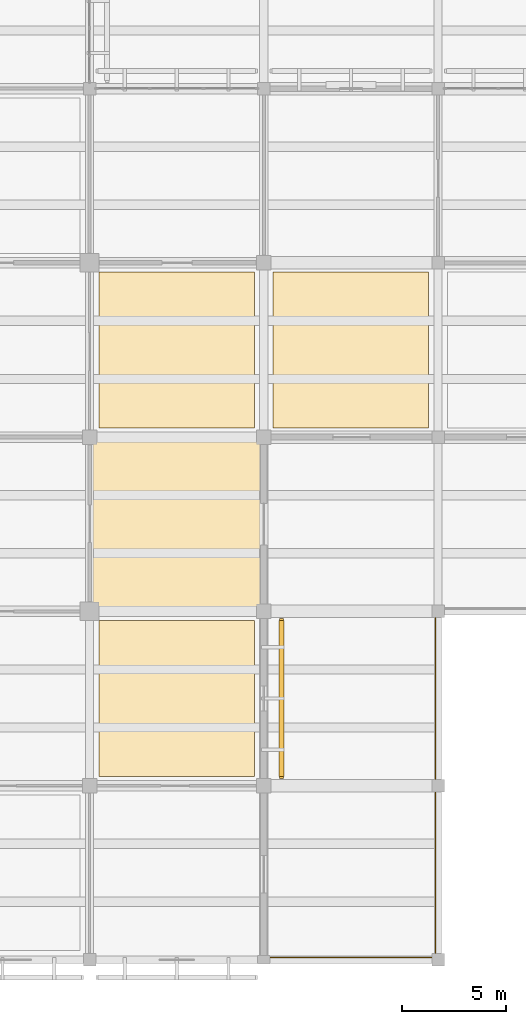
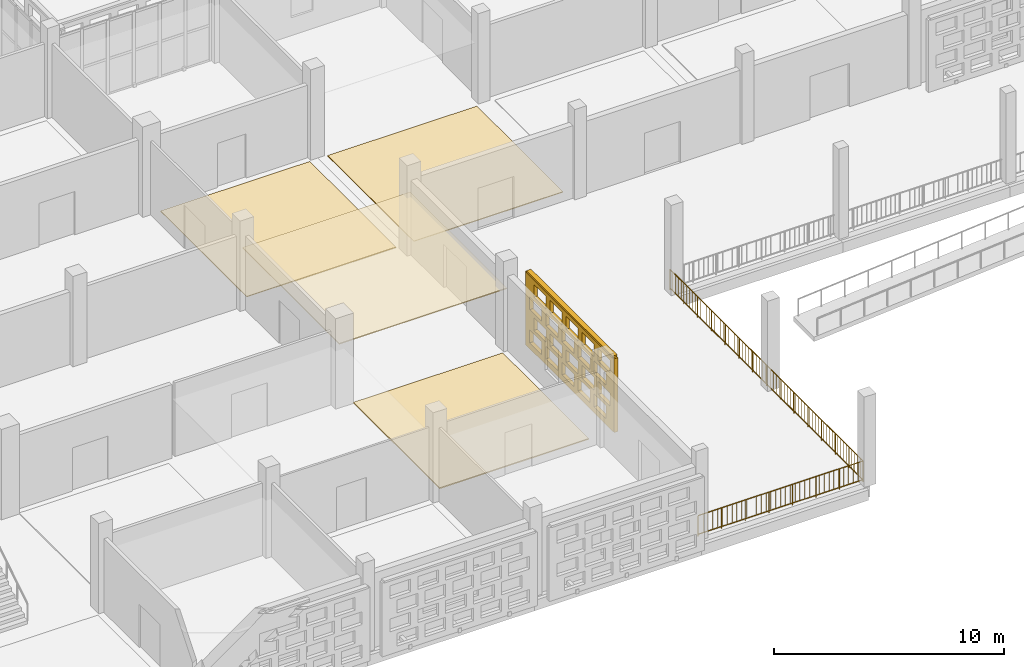
# One storey, part 84 of 129: 5 coverings, 2 railings, 1 shading device, 20 openings.
"""IFC4 building model written with IfcOpenShell, lengths in metres."""

from ifc_helpers import new_model, si_unit, direction, frame, frame_2d, origin, origin_2d, place, context, subcontext, project, spatial, rectangle, circle, extrude, material, layer, layer_set, type_object, element, save


model = new_model("IFC4")

# Units and contexts
model_context = context("Model", 3, precision=1e-05, world=origin(), true_north=direction((0.0, 1.0)))
body_context = subcontext(model_context, "Body", "Model", "MODEL_VIEW")
ifc_project = project(units=[si_unit("LENGTHUNIT", "METRE"), si_unit("AREAUNIT", "SQUARE_METRE"), si_unit("VOLUMEUNIT", "CUBIC_METRE"), si_unit("PLANEANGLEUNIT", "RADIAN"), si_unit("MASSUNIT", "GRAM", prefix="KILO")], contexts=[model_context])

# Site, building, storey
site_placement = place(None, origin())
site = spatial("IfcSite", under=ifc_project, at=site_placement, CompositionType="ELEMENT")
building_placement = place(site_placement, origin())
building = spatial("IfcBuilding", under=site, at=building_placement, Name="Varnapada Polytechnic", CompositionType="ELEMENT")
storey_placement = place(building_placement, origin())
storey = spatial("IfcBuildingStorey", under=building, at=storey_placement, Name="L00", CompositionType="ELEMENT", Elevation=0.0)

# Coverings
ifc_material_1 = material(Name="End-Grain Timber Studio Block Flooring", Category="wood")
ifc_layer_1 = layer(ifc_material_1, 0.054931640625)
ifc_layer_set_1 = layer_set([ifc_layer_1], Name="End-Grain Timber Studio Block Flooring")
covering_type_1 = type_object("IfcCoveringType", Name="Floor Finish FLR-04", PredefinedType="FLOORING", material=ifc_layer_set_1)
covering_1_placement = place(storey_placement, frame((46.199951171875, 12.60009765625, 0.0), z_axis=(0.0, 0.0, 1.0), x_axis=(1.0, 0.0, 0.0)))
element("IfcCovering", 1, at=covering_1_placement, inside=storey, type_object=covering_type_1, Name="L00 floor finish panel (6,2)", PredefinedType="FLOORING", context=body_context, shape_type="SweptSolid", body=[
    extrude(rectangle(XDim=7.5, YDim=7.5, at=origin_2d()), origin(), (0.0, 0.0, 1.0), 0.054931640625),
])
ifc_material_2 = material(Name="Acoustic Rubber Seminar Flooring")
ifc_layer_2 = layer(ifc_material_2, 0.0400390625)
ifc_layer_set_2 = layer_set([ifc_layer_2], Name="Acoustic Rubber Seminar Flooring")
covering_type_2 = type_object("IfcCoveringType", Name="Floor Finish FLR-06", PredefinedType="FLOORING", material=ifc_layer_set_2)
for number, where, z_axis, x_axis, name in (
    (2, (46.199951171875, 29.39990234375, 0.0), (0.0, 0.0, 1.0), (1.0, 0.0, 0.0), "L00 floor finish panel (6,4)"),
    (3, (54.60009765625, 29.39990234375, 0.0), (0.0, 0.0, 1.0), (1.0, 0.0, 0.0), "L00 floor finish panel (7,4)"),
):
    element("IfcCovering", number, at=place(storey_placement, frame(where, z_axis=z_axis, x_axis=x_axis)), inside=storey, type_object=covering_type_2, Name=name, PredefinedType="FLOORING", context=body_context, shape_type="SweptSolid", body=[
        extrude(rectangle(XDim=7.5, YDim=7.5, at=origin_2d()), origin(), (0.0, 0.0, 1.0), 0.0400390625),
    ])
ifc_material_3 = material(Name="Perforated Timber Slatted Baffle Ceiling", Category="wood")
ifc_layer_3 = layer(ifc_material_3, 0.050048828125)
ifc_layer_set_3 = layer_set([ifc_layer_3], Name="Perforated Timber Slatted Baffle Ceiling")
covering_type_3 = type_object("IfcCoveringType", Name="Suspended Ceiling CLG-02", PredefinedType="CEILING", material=ifc_layer_set_3)
covering_2_placement = place(storey_placement, frame((46.199951171875, 21.0, 3.02490234375), z_axis=(0.0, 0.0, 1.0), x_axis=(1.0, 0.0, 0.0)))
element("IfcCovering", 4, at=covering_2_placement, inside=storey, type_object=covering_type_3, Name="L00 suspended acoustic ceiling (6,3)", PredefinedType="CEILING", context=body_context, shape_type="SweptSolid", body=[
    extrude(rectangle(XDim=8.419921875, YDim=8.419921875, at=origin_2d()), origin(), (0.0, 0.0, 1.0), 0.050048828125),
])

# Railings
ifc_material_4 = material(Name="Painted galvanized steel", Category="steel")
railing_type = type_object("IfcRailingType", Name="Terrace Guard Rail GRD-01", PredefinedType="BALUSTRADE", material=ifc_material_4)
railing_1_placement = place(storey_placement, frame((50.39990234375, 0.1201171875, 0.0)))
element("IfcRailing", 5, at=railing_1_placement, inside=storey, type_object=railing_type, Name="L00 civic square colonnade edge guard GRD-SQ-SW", PredefinedType="BALUSTRADE", context=body_context, shape_type="SweptSolid", body=[
    extrude(circle(Radius=0.02392578125, at=origin_2d()), frame((0.0, 0.0, 1.09619140625), z_axis=(1.0, 0.0, 0.0), x_axis=(0.0, 1.0, 0.0)), (0.0, 0.0, 1.0), 8.280029296875),
    extrude(circle(Radius=0.02392578125, at=origin_2d()), frame((0.0, 0.0, 0.10009765625), z_axis=(1.0, 0.0, 0.0), x_axis=(0.0, 1.0, 0.0)), (0.0, 0.0, 1.0), 8.280029296875),
    extrude(circle(Radius=0.02099609375, at=origin_2d()), origin(), (0.0, 0.0, 1.0), 1.072021484375),
    extrude(circle(Radius=0.02099609375, at=origin_2d()), frame((1.182861328125, 0.0, 0.0)), (0.0, 0.0, 1.0), 1.072021484375),
    extrude(circle(Radius=0.02099609375, at=origin_2d()), frame((2.36572265625, 0.0, 0.0)), (0.0, 0.0, 1.0), 1.072021484375),
    extrude(circle(Radius=0.02099609375, at=origin_2d()), frame((3.548583984375, 0.0, 0.0)), (0.0, 0.0, 1.0), 1.072021484375),
    extrude(circle(Radius=0.02099609375, at=origin_2d()), frame((4.7314453125, 0.0, 0.0)), (0.0, 0.0, 1.0), 1.072021484375),
    extrude(circle(Radius=0.02099609375, at=origin_2d()), frame((5.914306640625, 0.0, 0.0)), (0.0, 0.0, 1.0), 1.072021484375),
    extrude(circle(Radius=0.02099609375, at=origin_2d()), frame((7.09716796875, 0.0, 0.0)), (0.0, 0.0, 1.0), 1.072021484375),
    extrude(circle(Radius=0.02099609375, at=origin_2d()), frame((8.280029296875, 0.0, 0.0)), (0.0, 0.0, 1.0), 1.072021484375),
    extrude(circle(Radius=0.010009765625, at=origin_2d()), frame((0.24365234375, 0.0, 0.10009765625)), (0.0, 0.0, 1.0), 0.971923828125),
    extrude(circle(Radius=0.010009765625, at=origin_2d()), frame((0.487060546875, 0.0, 0.10009765625)), (0.0, 0.0, 1.0), 0.971923828125),
    extrude(circle(Radius=0.010009765625, at=origin_2d()), frame((0.73046875, 0.0, 0.10009765625)), (0.0, 0.0, 1.0), 0.971923828125),
    extrude(circle(Radius=0.010009765625, at=origin_2d()), frame((0.97412109375, 0.0, 0.10009765625)), (0.0, 0.0, 1.0), 0.971923828125),
    extrude(circle(Radius=0.010009765625, at=origin_2d()), frame((1.2177734375, 0.0, 0.10009765625)), (0.0, 0.0, 1.0), 0.971923828125),
    extrude(circle(Radius=0.010009765625, at=origin_2d()), frame((1.461181640625, 0.0, 0.10009765625)), (0.0, 0.0, 1.0), 0.971923828125),
    extrude(circle(Radius=0.010009765625, at=origin_2d()), frame((1.70458984375, 0.0, 0.10009765625)), (0.0, 0.0, 1.0), 0.971923828125),
    extrude(circle(Radius=0.010009765625, at=origin_2d()), frame((1.9482421875, 0.0, 0.10009765625)), (0.0, 0.0, 1.0), 0.971923828125),
    extrude(circle(Radius=0.010009765625, at=origin_2d()), frame((2.19189453125, 0.0, 0.10009765625)), (0.0, 0.0, 1.0), 0.971923828125),
    extrude(circle(Radius=0.010009765625, at=origin_2d()), frame((2.435302734375, 0.0, 0.10009765625)), (0.0, 0.0, 1.0), 0.971923828125),
    extrude(circle(Radius=0.010009765625, at=origin_2d()), frame((2.6787109375, 0.0, 0.10009765625)), (0.0, 0.0, 1.0), 0.971923828125),
    extrude(circle(Radius=0.010009765625, at=origin_2d()), frame((2.92236328125, 0.0, 0.10009765625)), (0.0, 0.0, 1.0), 0.971923828125),
    extrude(circle(Radius=0.010009765625, at=origin_2d()), frame((3.166015625, 0.0, 0.10009765625)), (0.0, 0.0, 1.0), 0.971923828125),
    extrude(circle(Radius=0.010009765625, at=origin_2d()), frame((3.409423828125, 0.0, 0.10009765625)), (0.0, 0.0, 1.0), 0.971923828125),
    extrude(circle(Radius=0.010009765625, at=origin_2d()), frame((3.65283203125, 0.0, 0.10009765625)), (0.0, 0.0, 1.0), 0.971923828125),
    extrude(circle(Radius=0.010009765625, at=origin_2d()), frame((3.896484375, 0.0, 0.10009765625)), (0.0, 0.0, 1.0), 0.971923828125),
    extrude(circle(Radius=0.010009765625, at=origin_2d()), frame((4.14013671875, 0.0, 0.10009765625)), (0.0, 0.0, 1.0), 0.971923828125),
    extrude(circle(Radius=0.010009765625, at=origin_2d()), frame((4.383544921875, 0.0, 0.10009765625)), (0.0, 0.0, 1.0), 0.971923828125),
    extrude(circle(Radius=0.010009765625, at=origin_2d()), frame((4.626953125, 0.0, 0.10009765625)), (0.0, 0.0, 1.0), 0.971923828125),
    extrude(circle(Radius=0.010009765625, at=origin_2d()), frame((4.87060546875, 0.0, 0.10009765625)), (0.0, 0.0, 1.0), 0.971923828125),
    extrude(circle(Radius=0.010009765625, at=origin_2d()), frame((5.1142578125, 0.0, 0.10009765625)), (0.0, 0.0, 1.0), 0.971923828125),
    extrude(circle(Radius=0.010009765625, at=origin_2d()), frame((5.357666015625, 0.0, 0.10009765625)), (0.0, 0.0, 1.0), 0.971923828125),
    extrude(circle(Radius=0.010009765625, at=origin_2d()), frame((5.60107421875, 0.0, 0.10009765625)), (0.0, 0.0, 1.0), 0.971923828125),
    extrude(circle(Radius=0.010009765625, at=origin_2d()), frame((5.8447265625, 0.0, 0.10009765625)), (0.0, 0.0, 1.0), 0.971923828125),
    extrude(circle(Radius=0.010009765625, at=origin_2d()), frame((6.08837890625, 0.0, 0.10009765625)), (0.0, 0.0, 1.0), 0.971923828125),
    extrude(circle(Radius=0.010009765625, at=origin_2d()), frame((6.331787109375, 0.0, 0.10009765625)), (0.0, 0.0, 1.0), 0.971923828125),
    extrude(circle(Radius=0.010009765625, at=origin_2d()), frame((6.5751953125, 0.0, 0.10009765625)), (0.0, 0.0, 1.0), 0.971923828125),
    extrude(circle(Radius=0.010009765625, at=origin_2d()), frame((6.81884765625, 0.0, 0.10009765625)), (0.0, 0.0, 1.0), 0.971923828125),
    extrude(circle(Radius=0.010009765625, at=origin_2d()), frame((7.0625, 0.0, 0.10009765625)), (0.0, 0.0, 1.0), 0.971923828125),
    extrude(circle(Radius=0.010009765625, at=origin_2d()), frame((7.305908203125, 0.0, 0.10009765625)), (0.0, 0.0, 1.0), 0.971923828125),
    extrude(circle(Radius=0.010009765625, at=origin_2d()), frame((7.54931640625, 0.0, 0.10009765625)), (0.0, 0.0, 1.0), 0.971923828125),
    extrude(circle(Radius=0.010009765625, at=origin_2d()), frame((7.79296875, 0.0, 0.10009765625)), (0.0, 0.0, 1.0), 0.971923828125),
    extrude(circle(Radius=0.010009765625, at=origin_2d()), frame((8.03662109375, 0.0, 0.10009765625)), (0.0, 0.0, 1.0), 0.971923828125),
])
railing_2_placement = place(storey_placement, frame((58.679931640625, 0.1201171875, 0.0)))
element("IfcRailing", 6, at=railing_2_placement, inside=storey, type_object=railing_type, Name="L00 civic square colonnade edge guard GRD-SQ-W1", PredefinedType="BALUSTRADE", context=body_context, shape_type="SweptSolid", body=[
    extrude(circle(Radius=0.02392578125, at=origin_2d()), frame((0.0, 0.0, 1.09619140625), z_axis=(0.0, 1.0, 0.0), x_axis=(-1.0, 0.0, 0.0)), (0.0, 0.0, 1.0), 16.7998046875),
    extrude(circle(Radius=0.02392578125, at=origin_2d()), frame((0.0, 0.0, 0.10009765625), z_axis=(0.0, 1.0, 0.0), x_axis=(-1.0, 0.0, 0.0)), (0.0, 0.0, 1.0), 16.7998046875),
    extrude(circle(Radius=0.02099609375, at=origin_2d()), origin(), (0.0, 0.0, 1.0), 1.072021484375),
    extrude(circle(Radius=0.02099609375, at=origin_2d()), frame((0.0, 1.199951171875, 0.0)), (0.0, 0.0, 1.0), 1.072021484375),
    extrude(circle(Radius=0.02099609375, at=origin_2d()), frame((0.0, 2.39990234375, 0.0)), (0.0, 0.0, 1.0), 1.072021484375),
    extrude(circle(Radius=0.02099609375, at=origin_2d()), frame((0.0, 3.599853515625, 0.0)), (0.0, 0.0, 1.0), 1.072021484375),
    extrude(circle(Radius=0.02099609375, at=origin_2d()), frame((0.0, 4.800048828125, 0.0)), (0.0, 0.0, 1.0), 1.072021484375),
    extrude(circle(Radius=0.02099609375, at=origin_2d()), frame((0.0, 6.0, 0.0)), (0.0, 0.0, 1.0), 1.072021484375),
    extrude(circle(Radius=0.02099609375, at=origin_2d()), frame((0.0, 7.199951171875, 0.0)), (0.0, 0.0, 1.0), 1.072021484375),
    extrude(circle(Radius=0.02099609375, at=origin_2d()), frame((0.0, 8.39990234375, 0.0)), (0.0, 0.0, 1.0), 1.072021484375),
    extrude(circle(Radius=0.02099609375, at=origin_2d()), frame((0.0, 9.599853515625, 0.0)), (0.0, 0.0, 1.0), 1.072021484375),
    extrude(circle(Radius=0.02099609375, at=origin_2d()), frame((0.0, 10.7998046875, 0.0)), (0.0, 0.0, 1.0), 1.072021484375),
    extrude(circle(Radius=0.02099609375, at=origin_2d()), frame((0.0, 11.999755859375, 0.0)), (0.0, 0.0, 1.0), 1.072021484375),
    extrude(circle(Radius=0.02099609375, at=origin_2d()), frame((0.0, 13.199951171875, 0.0)), (0.0, 0.0, 1.0), 1.072021484375),
    extrude(circle(Radius=0.02099609375, at=origin_2d()), frame((0.0, 14.39990234375, 0.0)), (0.0, 0.0, 1.0), 1.072021484375),
    extrude(circle(Radius=0.02099609375, at=origin_2d()), frame((0.0, 15.599853515625, 0.0)), (0.0, 0.0, 1.0), 1.072021484375),
    extrude(circle(Radius=0.02099609375, at=origin_2d()), frame((0.0, 16.7998046875, 0.0)), (0.0, 0.0, 1.0), 1.072021484375),
    extrude(circle(Radius=0.010009765625, at=origin_2d()), frame((0.0, 0.243408203125, 0.10009765625)), (0.0, 0.0, 1.0), 0.971923828125),
    extrude(circle(Radius=0.010009765625, at=origin_2d()), frame((0.0, 0.487060546875, 0.10009765625)), (0.0, 0.0, 1.0), 0.971923828125),
    extrude(circle(Radius=0.010009765625, at=origin_2d()), frame((0.0, 0.73046875, 0.10009765625)), (0.0, 0.0, 1.0), 0.971923828125),
    extrude(circle(Radius=0.010009765625, at=origin_2d()), frame((0.0, 0.973876953125, 0.10009765625)), (0.0, 0.0, 1.0), 0.971923828125),
    extrude(circle(Radius=0.010009765625, at=origin_2d()), frame((0.0, 1.21728515625, 0.10009765625)), (0.0, 0.0, 1.0), 0.971923828125),
    extrude(circle(Radius=0.010009765625, at=origin_2d()), frame((0.0, 1.4609375, 0.10009765625)), (0.0, 0.0, 1.0), 0.971923828125),
    extrude(circle(Radius=0.010009765625, at=origin_2d()), frame((0.0, 1.704345703125, 0.10009765625)), (0.0, 0.0, 1.0), 0.971923828125),
    extrude(circle(Radius=0.010009765625, at=origin_2d()), frame((0.0, 1.94775390625, 0.10009765625)), (0.0, 0.0, 1.0), 0.971923828125),
    extrude(circle(Radius=0.010009765625, at=origin_2d()), frame((0.0, 2.191162109375, 0.10009765625)), (0.0, 0.0, 1.0), 0.971923828125),
    extrude(circle(Radius=0.010009765625, at=origin_2d()), frame((0.0, 2.434814453125, 0.10009765625)), (0.0, 0.0, 1.0), 0.971923828125),
    extrude(circle(Radius=0.010009765625, at=origin_2d()), frame((0.0, 2.67822265625, 0.10009765625)), (0.0, 0.0, 1.0), 0.971923828125),
    extrude(circle(Radius=0.010009765625, at=origin_2d()), frame((0.0, 2.921630859375, 0.10009765625)), (0.0, 0.0, 1.0), 0.971923828125),
    extrude(circle(Radius=0.010009765625, at=origin_2d()), frame((0.0, 3.165283203125, 0.10009765625)), (0.0, 0.0, 1.0), 0.971923828125),
    extrude(circle(Radius=0.010009765625, at=origin_2d()), frame((0.0, 3.40869140625, 0.10009765625)), (0.0, 0.0, 1.0), 0.971923828125),
    extrude(circle(Radius=0.010009765625, at=origin_2d()), frame((0.0, 3.652099609375, 0.10009765625)), (0.0, 0.0, 1.0), 0.971923828125),
    extrude(circle(Radius=0.010009765625, at=origin_2d()), frame((0.0, 3.8955078125, 0.10009765625)), (0.0, 0.0, 1.0), 0.971923828125),
    extrude(circle(Radius=0.010009765625, at=origin_2d()), frame((0.0, 4.13916015625, 0.10009765625)), (0.0, 0.0, 1.0), 0.971923828125),
    extrude(circle(Radius=0.010009765625, at=origin_2d()), frame((0.0, 4.382568359375, 0.10009765625)), (0.0, 0.0, 1.0), 0.971923828125),
    extrude(circle(Radius=0.010009765625, at=origin_2d()), frame((0.0, 4.6259765625, 0.10009765625)), (0.0, 0.0, 1.0), 0.971923828125),
    extrude(circle(Radius=0.010009765625, at=origin_2d()), frame((0.0, 4.86962890625, 0.10009765625)), (0.0, 0.0, 1.0), 0.971923828125),
    extrude(circle(Radius=0.010009765625, at=origin_2d()), frame((0.0, 5.113037109375, 0.10009765625)), (0.0, 0.0, 1.0), 0.971923828125),
    extrude(circle(Radius=0.010009765625, at=origin_2d()), frame((0.0, 5.3564453125, 0.10009765625)), (0.0, 0.0, 1.0), 0.971923828125),
    extrude(circle(Radius=0.010009765625, at=origin_2d()), frame((0.0, 5.599853515625, 0.10009765625)), (0.0, 0.0, 1.0), 0.971923828125),
    extrude(circle(Radius=0.010009765625, at=origin_2d()), frame((0.0, 5.843505859375, 0.10009765625)), (0.0, 0.0, 1.0), 0.971923828125),
    extrude(circle(Radius=0.010009765625, at=origin_2d()), frame((0.0, 6.0869140625, 0.10009765625)), (0.0, 0.0, 1.0), 0.971923828125),
    extrude(circle(Radius=0.010009765625, at=origin_2d()), frame((0.0, 6.330322265625, 0.10009765625)), (0.0, 0.0, 1.0), 0.971923828125),
    extrude(circle(Radius=0.010009765625, at=origin_2d()), frame((0.0, 6.57373046875, 0.10009765625)), (0.0, 0.0, 1.0), 0.971923828125),
    extrude(circle(Radius=0.010009765625, at=origin_2d()), frame((0.0, 6.8173828125, 0.10009765625)), (0.0, 0.0, 1.0), 0.971923828125),
    extrude(circle(Radius=0.010009765625, at=origin_2d()), frame((0.0, 7.060791015625, 0.10009765625)), (0.0, 0.0, 1.0), 0.971923828125),
    extrude(circle(Radius=0.010009765625, at=origin_2d()), frame((0.0, 7.30419921875, 0.10009765625)), (0.0, 0.0, 1.0), 0.971923828125),
    extrude(circle(Radius=0.010009765625, at=origin_2d()), frame((0.0, 7.5478515625, 0.10009765625)), (0.0, 0.0, 1.0), 0.971923828125),
    extrude(circle(Radius=0.010009765625, at=origin_2d()), frame((0.0, 7.791259765625, 0.10009765625)), (0.0, 0.0, 1.0), 0.971923828125),
    extrude(circle(Radius=0.010009765625, at=origin_2d()), frame((0.0, 8.03466796875, 0.10009765625)), (0.0, 0.0, 1.0), 0.971923828125),
    extrude(circle(Radius=0.010009765625, at=origin_2d()), frame((0.0, 8.278076171875, 0.10009765625)), (0.0, 0.0, 1.0), 0.971923828125),
    extrude(circle(Radius=0.010009765625, at=origin_2d()), frame((0.0, 8.521728515625, 0.10009765625)), (0.0, 0.0, 1.0), 0.971923828125),
    extrude(circle(Radius=0.010009765625, at=origin_2d()), frame((0.0, 8.76513671875, 0.10009765625)), (0.0, 0.0, 1.0), 0.971923828125),
    extrude(circle(Radius=0.010009765625, at=origin_2d()), frame((0.0, 9.008544921875, 0.10009765625)), (0.0, 0.0, 1.0), 0.971923828125),
    extrude(circle(Radius=0.010009765625, at=origin_2d()), frame((0.0, 9.251953125, 0.10009765625)), (0.0, 0.0, 1.0), 0.971923828125),
    extrude(circle(Radius=0.010009765625, at=origin_2d()), frame((0.0, 9.49560546875, 0.10009765625)), (0.0, 0.0, 1.0), 0.971923828125),
    extrude(circle(Radius=0.010009765625, at=origin_2d()), frame((0.0, 9.739013671875, 0.10009765625)), (0.0, 0.0, 1.0), 0.971923828125),
    extrude(circle(Radius=0.010009765625, at=origin_2d()), frame((0.0, 9.982421875, 0.10009765625)), (0.0, 0.0, 1.0), 0.971923828125),
    extrude(circle(Radius=0.010009765625, at=origin_2d()), frame((0.0, 10.22607421875, 0.10009765625)), (0.0, 0.0, 1.0), 0.971923828125),
    extrude(circle(Radius=0.010009765625, at=origin_2d()), frame((0.0, 10.469482421875, 0.10009765625)), (0.0, 0.0, 1.0), 0.971923828125),
    extrude(circle(Radius=0.010009765625, at=origin_2d()), frame((0.0, 10.712890625, 0.10009765625)), (0.0, 0.0, 1.0), 0.971923828125),
    extrude(circle(Radius=0.010009765625, at=origin_2d()), frame((0.0, 10.956298828125, 0.10009765625)), (0.0, 0.0, 1.0), 0.971923828125),
    extrude(circle(Radius=0.010009765625, at=origin_2d()), frame((0.0, 11.199951171875, 0.10009765625)), (0.0, 0.0, 1.0), 0.971923828125),
    extrude(circle(Radius=0.010009765625, at=origin_2d()), frame((0.0, 11.443359375, 0.10009765625)), (0.0, 0.0, 1.0), 0.971923828125),
    extrude(circle(Radius=0.010009765625, at=origin_2d()), frame((0.0, 11.686767578125, 0.10009765625)), (0.0, 0.0, 1.0), 0.971923828125),
    extrude(circle(Radius=0.010009765625, at=origin_2d()), frame((0.0, 11.93017578125, 0.10009765625)), (0.0, 0.0, 1.0), 0.971923828125),
    extrude(circle(Radius=0.010009765625, at=origin_2d()), frame((0.0, 12.173828125, 0.10009765625)), (0.0, 0.0, 1.0), 0.971923828125),
    extrude(circle(Radius=0.010009765625, at=origin_2d()), frame((0.0, 12.417236328125, 0.10009765625)), (0.0, 0.0, 1.0), 0.971923828125),
    extrude(circle(Radius=0.010009765625, at=origin_2d()), frame((0.0, 12.66064453125, 0.10009765625)), (0.0, 0.0, 1.0), 0.971923828125),
    extrude(circle(Radius=0.010009765625, at=origin_2d()), frame((0.0, 12.904296875, 0.10009765625)), (0.0, 0.0, 1.0), 0.971923828125),
    extrude(circle(Radius=0.010009765625, at=origin_2d()), frame((0.0, 13.147705078125, 0.10009765625)), (0.0, 0.0, 1.0), 0.971923828125),
    extrude(circle(Radius=0.010009765625, at=origin_2d()), frame((0.0, 13.39111328125, 0.10009765625)), (0.0, 0.0, 1.0), 0.971923828125),
    extrude(circle(Radius=0.010009765625, at=origin_2d()), frame((0.0, 13.634521484375, 0.10009765625)), (0.0, 0.0, 1.0), 0.971923828125),
    extrude(circle(Radius=0.010009765625, at=origin_2d()), frame((0.0, 13.878173828125, 0.10009765625)), (0.0, 0.0, 1.0), 0.971923828125),
    extrude(circle(Radius=0.010009765625, at=origin_2d()), frame((0.0, 14.12158203125, 0.10009765625)), (0.0, 0.0, 1.0), 0.971923828125),
    extrude(circle(Radius=0.010009765625, at=origin_2d()), frame((0.0, 14.364990234375, 0.10009765625)), (0.0, 0.0, 1.0), 0.971923828125),
    extrude(circle(Radius=0.010009765625, at=origin_2d()), frame((0.0, 14.608642578125, 0.10009765625)), (0.0, 0.0, 1.0), 0.971923828125),
    extrude(circle(Radius=0.010009765625, at=origin_2d()), frame((0.0, 14.85205078125, 0.10009765625)), (0.0, 0.0, 1.0), 0.971923828125),
    extrude(circle(Radius=0.010009765625, at=origin_2d()), frame((0.0, 15.095458984375, 0.10009765625)), (0.0, 0.0, 1.0), 0.971923828125),
    extrude(circle(Radius=0.010009765625, at=origin_2d()), frame((0.0, 15.3388671875, 0.10009765625)), (0.0, 0.0, 1.0), 0.971923828125),
    extrude(circle(Radius=0.010009765625, at=origin_2d()), frame((0.0, 15.58251953125, 0.10009765625)), (0.0, 0.0, 1.0), 0.971923828125),
    extrude(circle(Radius=0.010009765625, at=origin_2d()), frame((0.0, 15.825927734375, 0.10009765625)), (0.0, 0.0, 1.0), 0.971923828125),
    extrude(circle(Radius=0.010009765625, at=origin_2d()), frame((0.0, 16.0693359375, 0.10009765625)), (0.0, 0.0, 1.0), 0.971923828125),
    extrude(circle(Radius=0.010009765625, at=origin_2d()), frame((0.0, 16.312744140625, 0.10009765625)), (0.0, 0.0, 1.0), 0.971923828125),
    extrude(circle(Radius=0.010009765625, at=origin_2d()), frame((0.0, 16.556396484375, 0.10009765625)), (0.0, 0.0, 1.0), 0.971923828125),
])

# Covering, openings
ifc_material_5 = material(Name="Earth-toned architectural terracotta screen block", Category="masonry")
ifc_layer_4 = layer(ifc_material_5, 0.1201171875)
ifc_layer_set_4 = layer_set([ifc_layer_4], Name="Earth-toned architectural terracotta screen block")
covering_type_4 = type_object("IfcCoveringType", Name="Terracotta Screen Cladding CLD-01", PredefinedType="CLADDING", material=ifc_layer_set_4)
covering_3_placement = place(storey_placement, frame((51.25, 16.449951171875, 0.0), z_axis=(0.0, 0.0, 1.0), x_axis=(0.0, -1.0, 0.0)))
covering_3 = element("IfcCovering", 7, at=covering_3_placement, inside=storey, type_object=covering_type_4, Name="L00 perforated terracotta block screen (34)", PredefinedType="CLADDING", context=body_context, shape_type="SweptSolid", body=[
    extrude(rectangle(XDim=7.699951171875, YDim=0.179931640625, at=frame_2d((3.85009765625, 0.0))), origin(), (0.0, 0.0, 1.0), 3.919921875),
])
opening_1_placement = place(covering_3_placement, frame((0.35009765625, 0.0, 0.313720703125)))
element("IfcOpeningElement", 8, at=opening_1_placement, cuts=covering_3, Name="Screen perforation TBS-L00-033.1", PredefinedType="OPENING", context=body_context, shape_type="SweptSolid", body=[
    extrude(rectangle(XDim=1.0400390625, YDim=0.679931640625, at=frame_2d((0.52001953125, 0.33984375))), frame((0.0, 0.099853515625, 0.0), z_axis=(0.0, -1.0, 0.0), x_axis=(1.0, 0.0, 0.0)), (0.0, 0.0, 1.0), 0.199951171875),
])
opening_2_placement = place(covering_3_placement, frame((1.75, 0.0, 0.313720703125)))
element("IfcOpeningElement", 9, at=opening_2_placement, cuts=covering_3, Name="Screen perforation TBS-L00-033.2", PredefinedType="OPENING", context=body_context, shape_type="SweptSolid", body=[
    extrude(rectangle(XDim=1.0400390625, YDim=0.679931640625, at=frame_2d((0.52001953125, 0.33984375))), frame((0.0, 0.099853515625, 0.0), z_axis=(0.0, -1.0, 0.0), x_axis=(1.0, 0.0, 0.0)), (0.0, 0.0, 1.0), 0.199951171875),
])
opening_3_placement = place(covering_3_placement, frame((3.14990234375, 0.0, 0.313720703125)))
element("IfcOpeningElement", 10, at=opening_3_placement, cuts=covering_3, Name="Screen perforation TBS-L00-033.3", PredefinedType="OPENING", context=body_context, shape_type="SweptSolid", body=[
    extrude(rectangle(XDim=1.0400390625, YDim=0.679931640625, at=frame_2d((0.52001953125, 0.33984375))), frame((0.0, 0.099853515625, 0.0), z_axis=(0.0, -1.0, 0.0), x_axis=(1.0, 0.0, 0.0)), (0.0, 0.0, 1.0), 0.199951171875),
])
opening_4_placement = place(covering_3_placement, frame((4.550048828125, 0.0, 0.313720703125)))
element("IfcOpeningElement", 11, at=opening_4_placement, cuts=covering_3, Name="Screen perforation TBS-L00-033.4", PredefinedType="OPENING", context=body_context, shape_type="SweptSolid", body=[
    extrude(rectangle(XDim=1.0400390625, YDim=0.679931640625, at=frame_2d((0.52001953125, 0.33984375))), frame((0.0, 0.099853515625, 0.0), z_axis=(0.0, -1.0, 0.0), x_axis=(1.0, 0.0, 0.0)), (0.0, 0.0, 1.0), 0.199951171875),
])
opening_5_placement = place(covering_3_placement, frame((5.949951171875, 0.0, 0.313720703125)))
element("IfcOpeningElement", 12, at=opening_5_placement, cuts=covering_3, Name="Screen perforation TBS-L00-033.5", PredefinedType="OPENING", context=body_context, shape_type="SweptSolid", body=[
    extrude(rectangle(XDim=1.0400390625, YDim=0.679931640625, at=frame_2d((0.52001953125, 0.33984375))), frame((0.0, 0.099853515625, 0.0), z_axis=(0.0, -1.0, 0.0), x_axis=(1.0, 0.0, 0.0)), (0.0, 0.0, 1.0), 0.199951171875),
])
opening_6_placement = place(covering_3_placement, frame((0.7099609375, 0.0, 1.195556640625)))
element("IfcOpeningElement", 13, at=opening_6_placement, cuts=covering_3, Name="Screen perforation TBS-L00-033.6", PredefinedType="OPENING", context=body_context, shape_type="SweptSolid", body=[
    extrude(rectangle(XDim=1.0400390625, YDim=0.679931640625, at=frame_2d((0.52001953125, 0.33984375))), frame((0.0, 0.099853515625, 0.0), z_axis=(0.0, -1.0, 0.0), x_axis=(1.0, 0.0, 0.0)), (0.0, 0.0, 1.0), 0.199951171875),
])
opening_7_placement = place(covering_3_placement, frame((2.110107421875, 0.0, 1.195556640625)))
element("IfcOpeningElement", 14, at=opening_7_placement, cuts=covering_3, Name="Screen perforation TBS-L00-033.7", PredefinedType="OPENING", context=body_context, shape_type="SweptSolid", body=[
    extrude(rectangle(XDim=1.0400390625, YDim=0.679931640625, at=frame_2d((0.52001953125, 0.33984375))), frame((0.0, 0.099853515625, 0.0), z_axis=(0.0, -1.0, 0.0), x_axis=(1.0, 0.0, 0.0)), (0.0, 0.0, 1.0), 0.199951171875),
])
opening_8_placement = place(covering_3_placement, frame((3.510009765625, 0.0, 1.195556640625)))
element("IfcOpeningElement", 15, at=opening_8_placement, cuts=covering_3, Name="Screen perforation TBS-L00-033.8", PredefinedType="OPENING", context=body_context, shape_type="SweptSolid", body=[
    extrude(rectangle(XDim=1.0400390625, YDim=0.679931640625, at=frame_2d((0.52001953125, 0.33984375))), frame((0.0, 0.099853515625, 0.0), z_axis=(0.0, -1.0, 0.0), x_axis=(1.0, 0.0, 0.0)), (0.0, 0.0, 1.0), 0.199951171875),
])
opening_9_placement = place(covering_3_placement, frame((4.909912109375, 0.0, 1.195556640625)))
element("IfcOpeningElement", 16, at=opening_9_placement, cuts=covering_3, Name="Screen perforation TBS-L00-033.9", PredefinedType="OPENING", context=body_context, shape_type="SweptSolid", body=[
    extrude(rectangle(XDim=1.0400390625, YDim=0.679931640625, at=frame_2d((0.52001953125, 0.33984375))), frame((0.0, 0.099853515625, 0.0), z_axis=(0.0, -1.0, 0.0), x_axis=(1.0, 0.0, 0.0)), (0.0, 0.0, 1.0), 0.199951171875),
])
opening_10_placement = place(covering_3_placement, frame((6.31005859375, 0.0, 1.195556640625)))
element("IfcOpeningElement", 17, at=opening_10_placement, cuts=covering_3, Name="Screen perforation TBS-L00-033.10", PredefinedType="OPENING", context=body_context, shape_type="SweptSolid", body=[
    extrude(rectangle(XDim=1.0400390625, YDim=0.679931640625, at=frame_2d((0.52001953125, 0.33984375))), frame((0.0, 0.099853515625, 0.0), z_axis=(0.0, -1.0, 0.0), x_axis=(1.0, 0.0, 0.0)), (0.0, 0.0, 1.0), 0.199951171875),
])
opening_11_placement = place(covering_3_placement, frame((0.35009765625, 0.0, 2.07763671875)))
element("IfcOpeningElement", 18, at=opening_11_placement, cuts=covering_3, Name="Screen perforation TBS-L00-033.11", PredefinedType="OPENING", context=body_context, shape_type="SweptSolid", body=[
    extrude(rectangle(XDim=1.0400390625, YDim=0.679931640625, at=frame_2d((0.52001953125, 0.33984375))), frame((0.0, 0.099853515625, 0.0), z_axis=(0.0, -1.0, 0.0), x_axis=(1.0, 0.0, 0.0)), (0.0, 0.0, 1.0), 0.199951171875),
])
opening_12_placement = place(covering_3_placement, frame((1.75, 0.0, 2.07763671875)))
element("IfcOpeningElement", 19, at=opening_12_placement, cuts=covering_3, Name="Screen perforation TBS-L00-033.12", PredefinedType="OPENING", context=body_context, shape_type="SweptSolid", body=[
    extrude(rectangle(XDim=1.0400390625, YDim=0.679931640625, at=frame_2d((0.52001953125, 0.33984375))), frame((0.0, 0.099853515625, 0.0), z_axis=(0.0, -1.0, 0.0), x_axis=(1.0, 0.0, 0.0)), (0.0, 0.0, 1.0), 0.199951171875),
])
opening_13_placement = place(covering_3_placement, frame((3.14990234375, 0.0, 2.07763671875)))
element("IfcOpeningElement", 20, at=opening_13_placement, cuts=covering_3, Name="Screen perforation TBS-L00-033.13", PredefinedType="OPENING", context=body_context, shape_type="SweptSolid", body=[
    extrude(rectangle(XDim=1.0400390625, YDim=0.679931640625, at=frame_2d((0.52001953125, 0.33984375))), frame((0.0, 0.099853515625, 0.0), z_axis=(0.0, -1.0, 0.0), x_axis=(1.0, 0.0, 0.0)), (0.0, 0.0, 1.0), 0.199951171875),
])
opening_14_placement = place(covering_3_placement, frame((4.550048828125, 0.0, 2.07763671875)))
element("IfcOpeningElement", 21, at=opening_14_placement, cuts=covering_3, Name="Screen perforation TBS-L00-033.14", PredefinedType="OPENING", context=body_context, shape_type="SweptSolid", body=[
    extrude(rectangle(XDim=1.0400390625, YDim=0.679931640625, at=frame_2d((0.52001953125, 0.33984375))), frame((0.0, 0.099853515625, 0.0), z_axis=(0.0, -1.0, 0.0), x_axis=(1.0, 0.0, 0.0)), (0.0, 0.0, 1.0), 0.199951171875),
])
opening_15_placement = place(covering_3_placement, frame((5.949951171875, 0.0, 2.07763671875)))
element("IfcOpeningElement", 22, at=opening_15_placement, cuts=covering_3, Name="Screen perforation TBS-L00-033.15", PredefinedType="OPENING", context=body_context, shape_type="SweptSolid", body=[
    extrude(rectangle(XDim=1.0400390625, YDim=0.679931640625, at=frame_2d((0.52001953125, 0.33984375))), frame((0.0, 0.099853515625, 0.0), z_axis=(0.0, -1.0, 0.0), x_axis=(1.0, 0.0, 0.0)), (0.0, 0.0, 1.0), 0.199951171875),
])
opening_16_placement = place(covering_3_placement, frame((0.7099609375, 0.0, 2.959716796875)))
element("IfcOpeningElement", 23, at=opening_16_placement, cuts=covering_3, Name="Screen perforation TBS-L00-033.16", PredefinedType="OPENING", context=body_context, shape_type="SweptSolid", body=[
    extrude(rectangle(XDim=1.0400390625, YDim=0.679931640625, at=frame_2d((0.52001953125, 0.33984375))), frame((0.0, 0.099853515625, 0.0), z_axis=(0.0, -1.0, 0.0), x_axis=(1.0, 0.0, 0.0)), (0.0, 0.0, 1.0), 0.199951171875),
])
opening_17_placement = place(covering_3_placement, frame((2.110107421875, 0.0, 2.959716796875)))
element("IfcOpeningElement", 24, at=opening_17_placement, cuts=covering_3, Name="Screen perforation TBS-L00-033.17", PredefinedType="OPENING", context=body_context, shape_type="SweptSolid", body=[
    extrude(rectangle(XDim=1.0400390625, YDim=0.679931640625, at=frame_2d((0.52001953125, 0.33984375))), frame((0.0, 0.099853515625, 0.0), z_axis=(0.0, -1.0, 0.0), x_axis=(1.0, 0.0, 0.0)), (0.0, 0.0, 1.0), 0.199951171875),
])
opening_18_placement = place(covering_3_placement, frame((3.510009765625, 0.0, 2.959716796875)))
element("IfcOpeningElement", 25, at=opening_18_placement, cuts=covering_3, Name="Screen perforation TBS-L00-033.18", PredefinedType="OPENING", context=body_context, shape_type="SweptSolid", body=[
    extrude(rectangle(XDim=1.0400390625, YDim=0.679931640625, at=frame_2d((0.52001953125, 0.33984375))), frame((0.0, 0.099853515625, 0.0), z_axis=(0.0, -1.0, 0.0), x_axis=(1.0, 0.0, 0.0)), (0.0, 0.0, 1.0), 0.199951171875),
])
opening_19_placement = place(covering_3_placement, frame((4.909912109375, 0.0, 2.959716796875)))
element("IfcOpeningElement", 26, at=opening_19_placement, cuts=covering_3, Name="Screen perforation TBS-L00-033.19", PredefinedType="OPENING", context=body_context, shape_type="SweptSolid", body=[
    extrude(rectangle(XDim=1.0400390625, YDim=0.679931640625, at=frame_2d((0.52001953125, 0.33984375))), frame((0.0, 0.099853515625, 0.0), z_axis=(0.0, -1.0, 0.0), x_axis=(1.0, 0.0, 0.0)), (0.0, 0.0, 1.0), 0.199951171875),
])
opening_20_placement = place(covering_3_placement, frame((6.31005859375, 0.0, 2.959716796875)))
element("IfcOpeningElement", 27, at=opening_20_placement, cuts=covering_3, Name="Screen perforation TBS-L00-033.20", PredefinedType="OPENING", context=body_context, shape_type="SweptSolid", body=[
    extrude(rectangle(XDim=1.0400390625, YDim=0.679931640625, at=frame_2d((0.52001953125, 0.33984375))), frame((0.0, 0.099853515625, 0.0), z_axis=(0.0, -1.0, 0.0), x_axis=(1.0, 0.0, 0.0)), (0.0, 0.0, 1.0), 0.199951171875),
])

# Shading device
ifc_layer_5 = layer(ifc_material_5, 0.179931640625)
ifc_layer_set_5 = layer_set([ifc_layer_5], Name="Earth-toned architectural terracotta screen block")
shading_device_type = type_object("IfcShadingDeviceType", Name="Terracotta Screen SCR-02", PredefinedType="USERDEFINED", material=ifc_layer_set_5)
shading_device_placement = place(storey_placement, frame((51.25, 12.60009765625, 3.909912109375), z_axis=(0.0, 0.0, 1.0), x_axis=(0.0, -1.0, 0.0)))
element("IfcShadingDevice", 28, at=shading_device_placement, inside=storey, type_object=shading_device_type, Name="L00 perforated terracotta screen hood 28", ObjectType="SCREEN", PredefinedType="USERDEFINED", context=body_context, shape_type="SweptSolid", body=[
    extrude(rectangle(XDim=7.5, YDim=0.239990234375, at=origin_2d()), origin(), (0.0, 0.0, 1.0), 0.10009765625),
])

save(model, "model.ifc")
